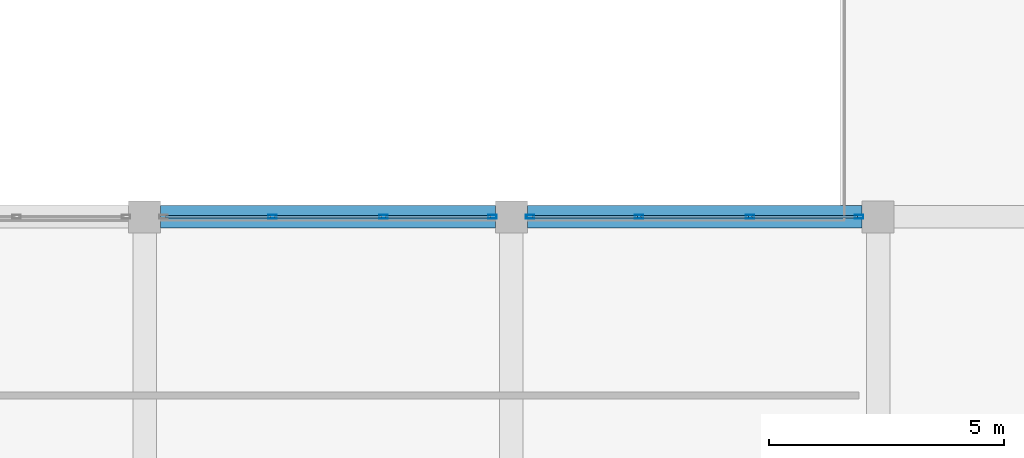
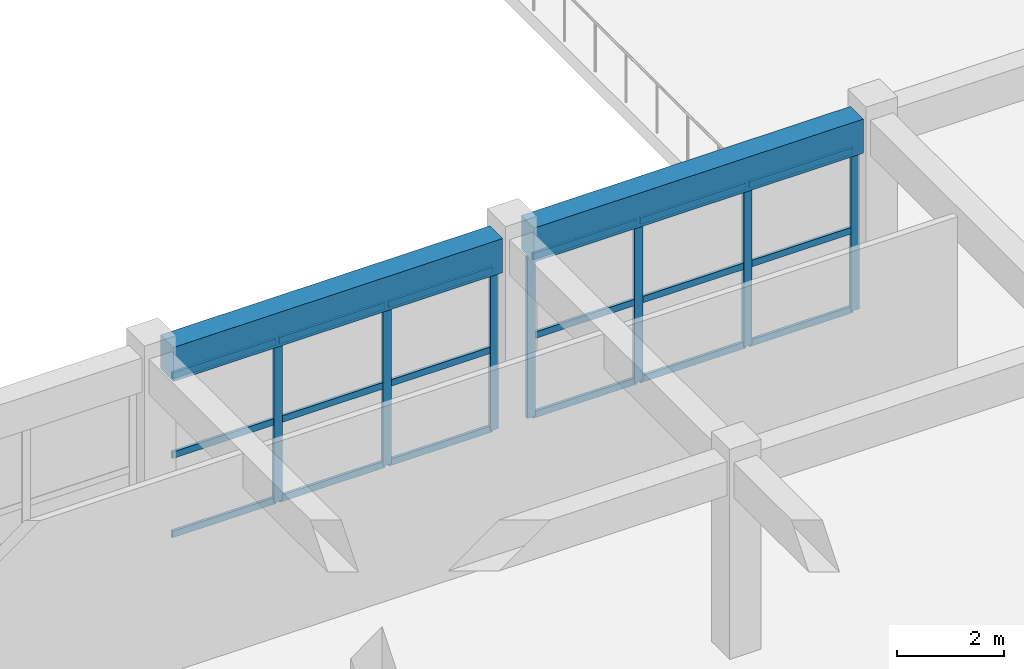
# One storey, part 103 of 175: 25 members, 2 beams, 2 elements without a shape of their own.
"""IFC4 building model written with IfcOpenShell, lengths in metres."""

from ifc_helpers import new_model, si_unit, direction, frame, origin, origin_2d, place, context, subcontext, project, spatial, rectangle, hollow_rectangle, extrude, material, layer, layer_set, material_profile, profile_set, type_object, element, aggregate, save


model = new_model("IFC4")

# Units and contexts
model_context = context("Model", 3, precision=1e-05, world=origin(), true_north=direction((0.0, 1.0)))
body_context = subcontext(model_context, "Body", "Model", "MODEL_VIEW")
ifc_project = project(units=[si_unit("LENGTHUNIT", "METRE"), si_unit("AREAUNIT", "SQUARE_METRE"), si_unit("VOLUMEUNIT", "CUBIC_METRE"), si_unit("PLANEANGLEUNIT", "RADIAN"), si_unit("MASSUNIT", "GRAM", prefix="KILO")], contexts=[model_context])

# Site, building, storey
site_placement = place(None, origin())
site = spatial("IfcSite", under=ifc_project, at=site_placement, CompositionType="ELEMENT")
building_placement = place(site_placement, origin())
building = spatial("IfcBuilding", under=site, at=building_placement, Name="Zizhar Promenade General Hospital", CompositionType="ELEMENT")
storey_placement = place(building_placement, frame((0.0, 0.0, 4.800048828125)))
storey = spatial("IfcBuildingStorey", under=building, at=storey_placement, Name="L01", CompositionType="ELEMENT", Elevation=4.800048828125)

# Beams
ifc_material_1 = material(Name="Concrete C35/45", Category="concrete")
ifc_material_profile_1 = material_profile(ifc_material_1, rectangle(XDim=0.47998046875, YDim=0.780029296875, at=origin_2d()))
ifc_profile_set_1 = profile_set([ifc_material_profile_1], Name="Concrete C35/45")
beam_type = type_object("IfcBeamType", Name="BM-RC-480x780", PredefinedType="BEAM", material=ifc_profile_set_1)
beam_1_placement = place(storey_placement, frame((156.340087890625, 67.199951171875, 4.079833984375), z_axis=(1.0, 0.0, 0.0), x_axis=(0.0, 1.0, 0.0)))
element("IfcBeam", 1, at=beam_1_placement, inside=storey, type_object=beam_type, Name="Grid Beam X L01 (20-8)", PredefinedType="BEAM", context=body_context, shape_type="SweptSolid", body=[
    extrude(rectangle(XDim=0.47998046875, YDim=0.780029296875, at=origin_2d()), origin(), (0.0, 0.0, 1.0), 7.119873046875),
])
beam_2_placement = place(storey_placement, frame((164.139892578125, 67.199951171875, 4.079833984375), z_axis=(1.0, 0.0, 0.0), x_axis=(0.0, 1.0, 0.0)))
element("IfcBeam", 2, at=beam_2_placement, inside=storey, type_object=beam_type, Name="Grid Beam X L01 (21-8)", PredefinedType="BEAM", context=body_context, shape_type="SweptSolid", body=[
    extrude(rectangle(XDim=0.47998046875, YDim=0.780029296875, at=origin_2d()), origin(), (0.0, 0.0, 1.0), 7.1201171875),
])

# Curtain wall, members
ifc_material_2 = material(Name="Anodised aluminium 6063-T6 and low-E glass", Category="aluminium")
ifc_layer = layer(ifc_material_2, 0.159912109375)
ifc_layer_set = layer_set([ifc_layer], Name="Anodised aluminium 6063-T6 and low-E glass")
curtain_wall_type = type_object("IfcCurtainWallType", Name="CW-CLN-CRT", PredefinedType="NOTDEFINED", material=ifc_layer_set)
curtain_wall_1_placement = place(storey_placement, origin())
curtain_wall_1 = element("IfcCurtainWall", 3, at=curtain_wall_1_placement, inside=storey, type_object=curtain_wall_type, Name="East Light Court South Glazing L01-20", PredefinedType="NOTDEFINED")
ifc_material_3 = material(Name="Anodised aluminium 6063-T6", Category="aluminium")
ifc_material_profile_2 = material_profile(ifc_material_3, hollow_rectangle(XDim=0.080078125, YDim=0.179931640625, WallThickness=0.0048828125, at=origin_2d()))
ifc_profile_set_2 = profile_set([ifc_material_profile_2], Name="Anodised aluminium 6063-T6")
member_type_1 = type_object("IfcMemberType", Name="CWM-ALU-180x80", PredefinedType="MULLION", material=ifc_profile_set_2)
member_1_placement = place(storey_placement, frame((158.719970703125, 67.199951171875, 0.0), z_axis=(0.0, 0.0, 1.0), x_axis=(0.0, 1.0, 0.0)))
member_1 = element("IfcMember", 4, at=member_1_placement, type_object=member_type_1, Name="CW-10 mullion 2", PredefinedType="MULLION", context=body_context, shape_type="SweptSolid", body=[
    extrude(hollow_rectangle(XDim=0.080078125, YDim=0.179931640625, WallThickness=0.0048828125, at=origin_2d()), origin(), (0.0, 0.0, 1.0), 3.679931640625),
])
member_2_placement = place(storey_placement, frame((161.080078125, 67.199951171875, 0.0), z_axis=(0.0, 0.0, 1.0), x_axis=(0.0, 1.0, 0.0)))
member_2 = element("IfcMember", 5, at=member_2_placement, type_object=member_type_1, Name="CW-10 mullion 3", PredefinedType="MULLION", context=body_context, shape_type="SweptSolid", body=[
    extrude(hollow_rectangle(XDim=0.080078125, YDim=0.179931640625, WallThickness=0.0048828125, at=origin_2d()), origin(), (0.0, 0.0, 1.0), 3.679931640625),
])
member_3_placement = place(storey_placement, frame((163.39990234375, 67.199951171875, 0.0), z_axis=(0.0, 0.0, 1.0), x_axis=(0.0, 1.0, 0.0)))
member_3 = element("IfcMember", 6, at=member_3_placement, type_object=member_type_1, Name="CW-10 mullion 4", PredefinedType="MULLION", context=body_context, shape_type="SweptSolid", body=[
    extrude(hollow_rectangle(XDim=0.080078125, YDim=0.179931640625, WallThickness=0.0048828125, at=origin_2d()), origin(), (0.0, 0.0, 1.0), 3.679931640625),
])

curtain_wall_2_placement = place(storey_placement, origin())
curtain_wall_2 = element("IfcCurtainWall", 7, at=curtain_wall_2_placement, inside=storey, type_object=curtain_wall_type, Name="East Light Court South Glazing L01-21", PredefinedType="NOTDEFINED")
member_4_placement = place(storey_placement, frame((164.199951171875, 67.199951171875, 0.0), z_axis=(0.0, 0.0, 1.0), x_axis=(0.0, 1.0, 0.0)))
member_4 = element("IfcMember", 8, at=member_4_placement, type_object=member_type_1, Name="CW-10 mullion 1", PredefinedType="MULLION", context=body_context, shape_type="SweptSolid", body=[
    extrude(hollow_rectangle(XDim=0.080078125, YDim=0.179931640625, WallThickness=0.0048828125, at=origin_2d()), origin(), (0.0, 0.0, 1.0), 3.679931640625),
])
member_5_placement = place(storey_placement, frame((166.52001953125, 67.199951171875, 0.0), z_axis=(0.0, 0.0, 1.0), x_axis=(0.0, 1.0, 0.0)))
member_5 = element("IfcMember", 9, at=member_5_placement, type_object=member_type_1, Name="CW-10 mullion 2", PredefinedType="MULLION", context=body_context, shape_type="SweptSolid", body=[
    extrude(hollow_rectangle(XDim=0.080078125, YDim=0.179931640625, WallThickness=0.0048828125, at=origin_2d()), origin(), (0.0, 0.0, 1.0), 3.679931640625),
])
member_6_placement = place(storey_placement, frame((168.8798828125, 67.199951171875, 0.0), z_axis=(0.0, 0.0, 1.0), x_axis=(0.0, 1.0, 0.0)))
member_6 = element("IfcMember", 10, at=member_6_placement, type_object=member_type_1, Name="CW-10 mullion 3", PredefinedType="MULLION", context=body_context, shape_type="SweptSolid", body=[
    extrude(hollow_rectangle(XDim=0.080078125, YDim=0.179931640625, WallThickness=0.0048828125, at=origin_2d()), origin(), (0.0, 0.0, 1.0), 3.679931640625),
])
member_7_placement = place(storey_placement, frame((171.199951171875, 67.199951171875, 0.0), z_axis=(0.0, 0.0, 1.0), x_axis=(0.0, 1.0, 0.0)))
member_7 = element("IfcMember", 11, at=member_7_placement, type_object=member_type_1, Name="CW-10 mullion 4", PredefinedType="MULLION", context=body_context, shape_type="SweptSolid", body=[
    extrude(hollow_rectangle(XDim=0.080078125, YDim=0.179931640625, WallThickness=0.0048828125, at=origin_2d()), origin(), (0.0, 0.0, 1.0), 3.679931640625),
])

# Member
ifc_material_4 = material(Name="Anodised aluminium 6063-T6", Category="aluminium")
ifc_material_profile_3 = material_profile(ifc_material_4, hollow_rectangle(XDim=0.06005859375, YDim=0.14990234375, WallThickness=0.00390625, at=origin_2d()))
ifc_profile_set_3 = profile_set([ifc_material_profile_3], Name="Anodised aluminium 6063-T6")
member_type_2 = type_object("IfcMemberType", Name="CWT-ALU-150x60", PredefinedType="USERDEFINED", material=ifc_profile_set_3)
member_8_placement = place(storey_placement, frame((156.43994140625, 67.199951171875, 0.030029296875), z_axis=(1.0, 0.0, 0.0), x_axis=(0.0, 1.0, 0.0)))
member_8 = element("IfcMember", 12, at=member_8_placement, type_object=member_type_2, Name="CW-10 transom 1.1", ObjectType="TRANSOM", PredefinedType="USERDEFINED", context=body_context, shape_type="SweptSolid", body=[
    extrude(hollow_rectangle(XDim=0.06005859375, YDim=0.14990234375, WallThickness=0.00390625, at=origin_2d()), origin(), (0.0, 0.0, 1.0), 2.239990234375),
])

member_9_placement = place(storey_placement, frame((156.43994140625, 67.199951171875, 1.83984375), z_axis=(1.0, 0.0, 0.0), x_axis=(0.0, 1.0, 0.0)))
member_9 = element("IfcMember", 13, at=member_9_placement, type_object=member_type_2, Name="CW-10 transom 1.2", ObjectType="TRANSOM", PredefinedType="USERDEFINED", context=body_context, shape_type="SweptSolid", body=[
    extrude(hollow_rectangle(XDim=0.06005859375, YDim=0.14990234375, WallThickness=0.00390625, at=origin_2d()), origin(), (0.0, 0.0, 1.0), 2.239990234375),
])

member_10_placement = place(storey_placement, frame((156.43994140625, 67.199951171875, 3.64990234375), z_axis=(1.0, 0.0, 0.0), x_axis=(0.0, 1.0, 0.0)))
member_10 = element("IfcMember", 14, at=member_10_placement, type_object=member_type_2, Name="CW-10 transom 1.3", ObjectType="TRANSOM", PredefinedType="USERDEFINED", context=body_context, shape_type="SweptSolid", body=[
    extrude(hollow_rectangle(XDim=0.06005859375, YDim=0.14990234375, WallThickness=0.00390625, at=origin_2d()), origin(), (0.0, 0.0, 1.0), 2.239990234375),
])

member_11_placement = place(storey_placement, frame((158.760009765625, 67.199951171875, 0.030029296875), z_axis=(1.0, 0.0, 0.0), x_axis=(0.0, 1.0, 0.0)))
member_11 = element("IfcMember", 15, at=member_11_placement, type_object=member_type_2, Name="CW-10 transom 2.1", ObjectType="TRANSOM", PredefinedType="USERDEFINED", context=body_context, shape_type="SweptSolid", body=[
    extrude(hollow_rectangle(XDim=0.06005859375, YDim=0.14990234375, WallThickness=0.00390625, at=origin_2d()), origin(), (0.0, 0.0, 1.0), 2.280029296875),
])

member_12_placement = place(storey_placement, frame((158.760009765625, 67.199951171875, 1.83984375), z_axis=(1.0, 0.0, 0.0), x_axis=(0.0, 1.0, 0.0)))
member_12 = element("IfcMember", 16, at=member_12_placement, type_object=member_type_2, Name="CW-10 transom 2.2", ObjectType="TRANSOM", PredefinedType="USERDEFINED", context=body_context, shape_type="SweptSolid", body=[
    extrude(hollow_rectangle(XDim=0.06005859375, YDim=0.14990234375, WallThickness=0.00390625, at=origin_2d()), origin(), (0.0, 0.0, 1.0), 2.280029296875),
])

member_13_placement = place(storey_placement, frame((158.760009765625, 67.199951171875, 3.64990234375), z_axis=(1.0, 0.0, 0.0), x_axis=(0.0, 1.0, 0.0)))
member_13 = element("IfcMember", 17, at=member_13_placement, type_object=member_type_2, Name="CW-10 transom 2.3", ObjectType="TRANSOM", PredefinedType="USERDEFINED", context=body_context, shape_type="SweptSolid", body=[
    extrude(hollow_rectangle(XDim=0.06005859375, YDim=0.14990234375, WallThickness=0.00390625, at=origin_2d()), origin(), (0.0, 0.0, 1.0), 2.280029296875),
])

member_14_placement = place(storey_placement, frame((161.1201171875, 67.199951171875, 0.030029296875), z_axis=(1.0, 0.0, 0.0), x_axis=(0.0, 1.0, 0.0)))
member_14 = element("IfcMember", 18, at=member_14_placement, type_object=member_type_2, Name="CW-10 transom 3.1", ObjectType="TRANSOM", PredefinedType="USERDEFINED", context=body_context, shape_type="SweptSolid", body=[
    extrude(hollow_rectangle(XDim=0.06005859375, YDim=0.14990234375, WallThickness=0.00390625, at=origin_2d()), origin(), (0.0, 0.0, 1.0), 2.239990234375),
])

member_15_placement = place(storey_placement, frame((161.1201171875, 67.199951171875, 1.83984375), z_axis=(1.0, 0.0, 0.0), x_axis=(0.0, 1.0, 0.0)))
member_15 = element("IfcMember", 19, at=member_15_placement, type_object=member_type_2, Name="CW-10 transom 3.2", ObjectType="TRANSOM", PredefinedType="USERDEFINED", context=body_context, shape_type="SweptSolid", body=[
    extrude(hollow_rectangle(XDim=0.06005859375, YDim=0.14990234375, WallThickness=0.00390625, at=origin_2d()), origin(), (0.0, 0.0, 1.0), 2.239990234375),
])

member_16_placement = place(storey_placement, frame((161.1201171875, 67.199951171875, 3.64990234375), z_axis=(1.0, 0.0, 0.0), x_axis=(0.0, 1.0, 0.0)))
member_16 = element("IfcMember", 20, at=member_16_placement, type_object=member_type_2, Name="CW-10 transom 3.3", ObjectType="TRANSOM", PredefinedType="USERDEFINED", context=body_context, shape_type="SweptSolid", body=[
    extrude(hollow_rectangle(XDim=0.06005859375, YDim=0.14990234375, WallThickness=0.00390625, at=origin_2d()), origin(), (0.0, 0.0, 1.0), 2.239990234375),
])

aggregate(curtain_wall_1, [member_1, member_2, member_3, member_8, member_9, member_10, member_11, member_12, member_13, member_14, member_15, member_16])

member_17_placement = place(storey_placement, frame((164.239990234375, 67.199951171875, 0.030029296875), z_axis=(1.0, 0.0, 0.0), x_axis=(0.0, 1.0, 0.0)))
member_17 = element("IfcMember", 21, at=member_17_placement, type_object=member_type_2, Name="CW-10 transom 1.1", ObjectType="TRANSOM", PredefinedType="USERDEFINED", context=body_context, shape_type="SweptSolid", body=[
    extrude(hollow_rectangle(XDim=0.06005859375, YDim=0.14990234375, WallThickness=0.00390625, at=origin_2d()), origin(), (0.0, 0.0, 1.0), 2.239990234375),
])

member_18_placement = place(storey_placement, frame((164.239990234375, 67.199951171875, 1.83984375), z_axis=(1.0, 0.0, 0.0), x_axis=(0.0, 1.0, 0.0)))
member_18 = element("IfcMember", 22, at=member_18_placement, type_object=member_type_2, Name="CW-10 transom 1.2", ObjectType="TRANSOM", PredefinedType="USERDEFINED", context=body_context, shape_type="SweptSolid", body=[
    extrude(hollow_rectangle(XDim=0.06005859375, YDim=0.14990234375, WallThickness=0.00390625, at=origin_2d()), origin(), (0.0, 0.0, 1.0), 2.239990234375),
])

member_19_placement = place(storey_placement, frame((164.239990234375, 67.199951171875, 3.64990234375), z_axis=(1.0, 0.0, 0.0), x_axis=(0.0, 1.0, 0.0)))
member_19 = element("IfcMember", 23, at=member_19_placement, type_object=member_type_2, Name="CW-10 transom 1.3", ObjectType="TRANSOM", PredefinedType="USERDEFINED", context=body_context, shape_type="SweptSolid", body=[
    extrude(hollow_rectangle(XDim=0.06005859375, YDim=0.14990234375, WallThickness=0.00390625, at=origin_2d()), origin(), (0.0, 0.0, 1.0), 2.239990234375),
])

member_20_placement = place(storey_placement, frame((166.56005859375, 67.199951171875, 0.030029296875), z_axis=(1.0, 0.0, 0.0), x_axis=(0.0, 1.0, 0.0)))
member_20 = element("IfcMember", 24, at=member_20_placement, type_object=member_type_2, Name="CW-10 transom 2.1", ObjectType="TRANSOM", PredefinedType="USERDEFINED", context=body_context, shape_type="SweptSolid", body=[
    extrude(hollow_rectangle(XDim=0.06005859375, YDim=0.14990234375, WallThickness=0.00390625, at=origin_2d()), origin(), (0.0, 0.0, 1.0), 2.280029296875),
])

member_21_placement = place(storey_placement, frame((166.56005859375, 67.199951171875, 1.83984375), z_axis=(1.0, 0.0, 0.0), x_axis=(0.0, 1.0, 0.0)))
member_21 = element("IfcMember", 25, at=member_21_placement, type_object=member_type_2, Name="CW-10 transom 2.2", ObjectType="TRANSOM", PredefinedType="USERDEFINED", context=body_context, shape_type="SweptSolid", body=[
    extrude(hollow_rectangle(XDim=0.06005859375, YDim=0.14990234375, WallThickness=0.00390625, at=origin_2d()), origin(), (0.0, 0.0, 1.0), 2.280029296875),
])

member_22_placement = place(storey_placement, frame((166.56005859375, 67.199951171875, 3.64990234375), z_axis=(1.0, 0.0, 0.0), x_axis=(0.0, 1.0, 0.0)))
member_22 = element("IfcMember", 26, at=member_22_placement, type_object=member_type_2, Name="CW-10 transom 2.3", ObjectType="TRANSOM", PredefinedType="USERDEFINED", context=body_context, shape_type="SweptSolid", body=[
    extrude(hollow_rectangle(XDim=0.06005859375, YDim=0.14990234375, WallThickness=0.00390625, at=origin_2d()), origin(), (0.0, 0.0, 1.0), 2.280029296875),
])

member_23_placement = place(storey_placement, frame((168.919921875, 67.199951171875, 0.030029296875), z_axis=(1.0, 0.0, 0.0), x_axis=(0.0, 1.0, 0.0)))
member_23 = element("IfcMember", 27, at=member_23_placement, type_object=member_type_2, Name="CW-10 transom 3.1", ObjectType="TRANSOM", PredefinedType="USERDEFINED", context=body_context, shape_type="SweptSolid", body=[
    extrude(hollow_rectangle(XDim=0.06005859375, YDim=0.14990234375, WallThickness=0.00390625, at=origin_2d()), origin(), (0.0, 0.0, 1.0), 2.239990234375),
])

member_24_placement = place(storey_placement, frame((168.919921875, 67.199951171875, 1.83984375), z_axis=(1.0, 0.0, 0.0), x_axis=(0.0, 1.0, 0.0)))
member_24 = element("IfcMember", 28, at=member_24_placement, type_object=member_type_2, Name="CW-10 transom 3.2", ObjectType="TRANSOM", PredefinedType="USERDEFINED", context=body_context, shape_type="SweptSolid", body=[
    extrude(hollow_rectangle(XDim=0.06005859375, YDim=0.14990234375, WallThickness=0.00390625, at=origin_2d()), origin(), (0.0, 0.0, 1.0), 2.239990234375),
])

member_25_placement = place(storey_placement, frame((168.919921875, 67.199951171875, 3.64990234375), z_axis=(1.0, 0.0, 0.0), x_axis=(0.0, 1.0, 0.0)))
member_25 = element("IfcMember", 29, at=member_25_placement, type_object=member_type_2, Name="CW-10 transom 3.3", ObjectType="TRANSOM", PredefinedType="USERDEFINED", context=body_context, shape_type="SweptSolid", body=[
    extrude(hollow_rectangle(XDim=0.06005859375, YDim=0.14990234375, WallThickness=0.00390625, at=origin_2d()), origin(), (0.0, 0.0, 1.0), 2.239990234375),
])

aggregate(curtain_wall_2, [member_4, member_5, member_6, member_7, member_17, member_18, member_19, member_20, member_21, member_22, member_23, member_24, member_25])

save(model, "model.ifc")
